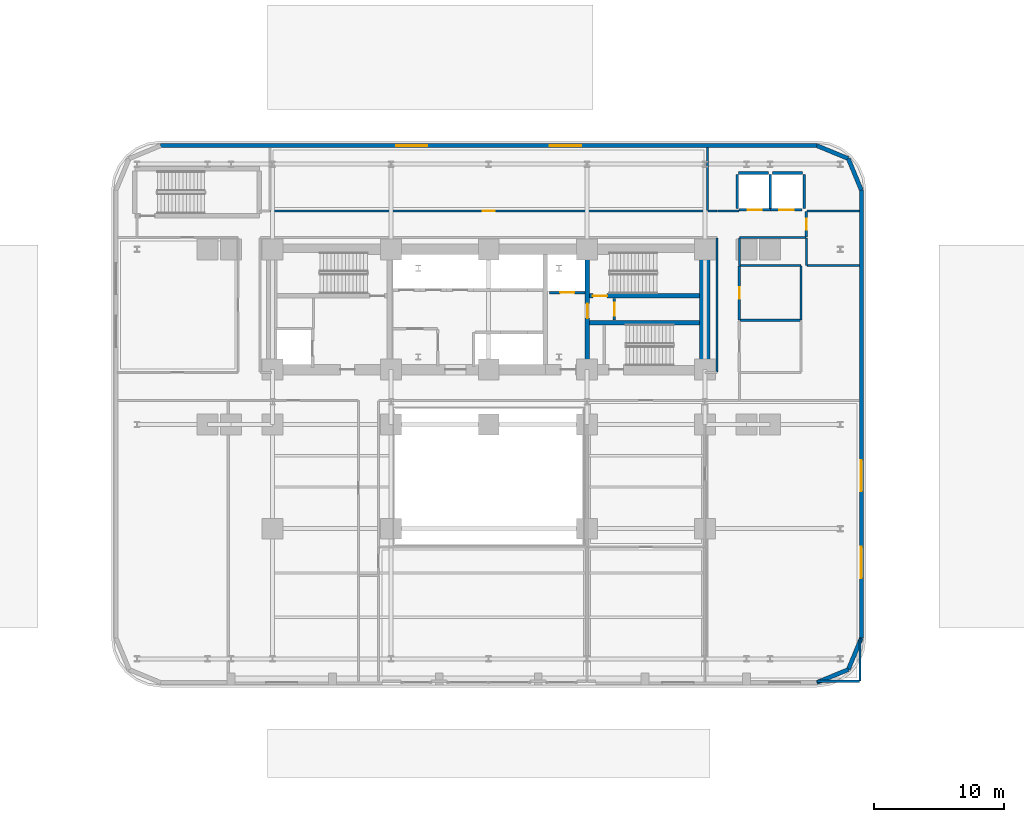
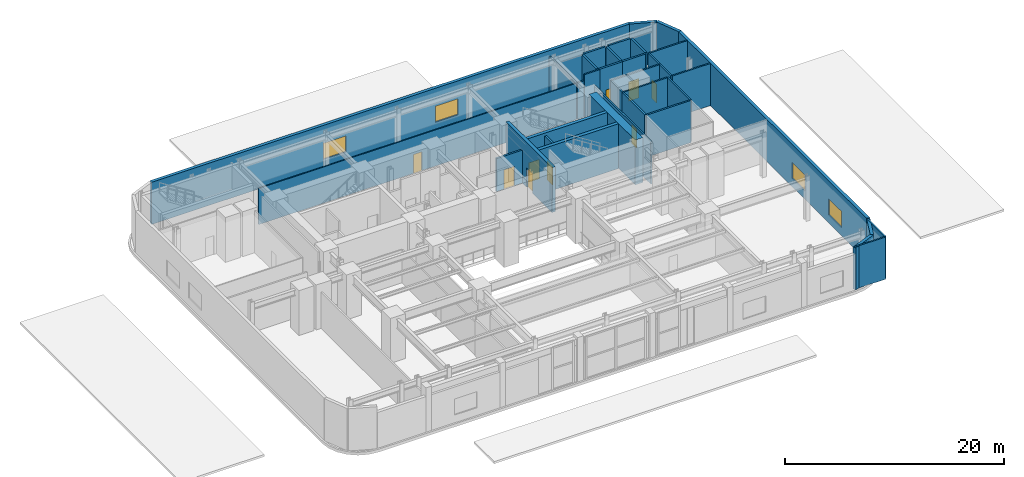
# One storey, part 7 of 12: 36 walls, 9 doors, 4 windows, 13 openings.
"""IFC4 building model written with IfcOpenShell, lengths in metres."""

from ifc_helpers import new_model, si_unit, direction, frame, frame_2d, origin, place, context, subcontext, project, spatial, rectangle, extrude, material, layer, layer_set, type_object, element, fill, save


model = new_model("IFC4")

# Units and contexts
model_context = context("Model", 3, precision=1e-05, world=origin(), true_north=direction((0.0, 1.0)))
body_context = subcontext(model_context, "Body", "Model", "MODEL_VIEW")
ifc_project = project(units=[si_unit("LENGTHUNIT", "METRE"), si_unit("AREAUNIT", "SQUARE_METRE"), si_unit("VOLUMEUNIT", "CUBIC_METRE"), si_unit("PLANEANGLEUNIT", "RADIAN"), si_unit("MASSUNIT", "GRAM", prefix="KILO")], contexts=[model_context])

# Site, building, storey
site_placement = place(None, origin())
site = spatial("IfcSite", under=ifc_project, at=site_placement, CompositionType="ELEMENT")
building_placement = place(site_placement, origin())
building = spatial("IfcBuilding", under=site, at=building_placement, Name="Zarnavel Station Tower", CompositionType="ELEMENT")
storey_placement = place(building_placement, frame((0.0, 0.0, 5.39990234375)))
storey = spatial("IfcBuildingStorey", under=building, at=storey_placement, Name="L02", CompositionType="ELEMENT", Elevation=5.39990234375)

# Wall, opening, door
ifc_material_1 = material(Name="Concrete C50/60", Category="concrete")
ifc_layer_1 = layer(ifc_material_1, 0.35009765625)
ifc_layer_set_1 = layer_set([ifc_layer_1], Name="CW_350")
wall_type_1 = type_object("IfcWallType", Name="CW_350", PredefinedType="SHEAR", material=ifc_layer_set_1)
wall_1_placement = place(storey_placement, frame((36.3798828125, 28.219970703125, 0.0), z_axis=(0.0, 0.0, 1.0), x_axis=(0.0, 1.0, 0.0)))
wall_1 = element("IfcWall", 1, at=wall_1_placement, inside=storey, type_object=wall_type_1, Name="L02 Rear Core Shear Wall DIV-S2", PredefinedType="SHEAR", context=body_context, shape_type="SweptSolid", body=[
    extrude(rectangle(XDim=8.429931640625, YDim=0.35009765625, at=frame_2d((4.21484375, 0.0))), origin(), (0.0, 0.0, 1.0), 5.0),
])
opening_1_placement = place(wall_1_placement, frame((3.56005859375, 0.0, 0.0)))
opening_1 = element("IfcOpeningElement", 2, at=opening_1_placement, cuts=wall_1, Name="Opening FD01", PredefinedType="OPENING", context=body_context, shape_type="SweptSolid", body=[
    extrude(rectangle(XDim=1.10009765625, YDim=2.14990234375, at=frame_2d((0.550048828125, 1.074951171875))), frame((0.0, 0.18505859375, 0.0), z_axis=(0.0, -1.0, 0.0), x_axis=(1.0, 0.0, 0.0)), (0.0, 0.0, 1.0), 0.3701171875),
])
ifc_material_2 = material(Name="Painted Galvanised Steel and Hardwood Leaf", Category="steel")
door_type_1 = type_object("IfcDoorType", Name="ID_STAIR_1100", OperationType="NOTDEFINED", PredefinedType="DOOR", material=ifc_material_2)
door_1_placement = place(opening_1_placement, origin())
door_1 = element("IfcDoor", 3, at=door_1_placement, inside=storey, type_object=door_type_1, Name="L02 East Stair Vestibule Fire Door", OperationType="SINGLE_SWING_LEFT", OverallHeight=2.14990234375, OverallWidth=1.10009765625, PredefinedType="DOOR", context=body_context, shape_type="SweptSolid", body=[
    extrude(rectangle(XDim=1.10009765625, YDim=2.14990234375, at=frame_2d((0.550048828125, 1.074951171875))), frame((0.0, 0.02490234375, 0.0), z_axis=(0.0, -1.0, 0.0), x_axis=(1.0, 0.0, 0.0)), (0.0, 0.0, 1.0), 0.050048828125),
])
fill(opening_1, door_1)

wall_2_placement = place(storey_placement, frame((44.97998046875, 33.47998046875, 0.0), z_axis=(0.0, 0.0, 1.0), x_axis=(-1.0, 0.0, 0.0)))
wall_2 = element("IfcWall", 4, at=wall_2_placement, inside=storey, type_object=wall_type_1, Name="L02 Rear Core Shear Wall DIV-H2", PredefinedType="SHEAR", context=body_context, shape_type="SweptSolid", body=[
    extrude(rectangle(XDim=8.425048828125, YDim=0.35009765625, at=frame_2d((4.21240234375, 0.0))), origin(), (0.0, 0.0, 1.0), 5.0),
])
opening_2_placement = place(wall_2_placement, frame((7.080078125, 0.0, 0.0)))
opening_2 = element("IfcOpeningElement", 5, at=opening_2_placement, cuts=wall_2, Name="Opening FD01", PredefinedType="OPENING", context=body_context, shape_type="SweptSolid", body=[
    extrude(rectangle(XDim=1.10009765625, YDim=2.14990234375, at=frame_2d((0.550048828125, 1.074951171875))), frame((0.0, 0.18505859375, 0.0), z_axis=(0.0, -1.0, 0.0), x_axis=(1.0, 0.0, 0.0)), (0.0, 0.0, 1.0), 0.3701171875),
])
door_2_placement = place(opening_2_placement, origin())
door_2 = element("IfcDoor", 6, at=door_2_placement, inside=storey, type_object=door_type_1, Name="L02 Stair ST2 Lobby Fire Door", OperationType="SINGLE_SWING_RIGHT", OverallHeight=2.14990234375, OverallWidth=1.10009765625, PredefinedType="DOOR", context=body_context, shape_type="SweptSolid", body=[
    extrude(rectangle(XDim=1.10009765625, YDim=2.14990234375, at=frame_2d((0.550048828125, 1.074951171875))), frame((0.0, 0.02490234375, 0.0), z_axis=(0.0, -1.0, 0.0), x_axis=(1.0, 0.0, 0.0)), (0.0, 0.0, 1.0), 0.050048828125),
])
fill(opening_2, door_2)

# Walls
wall_3_placement = place(storey_placement, frame((36.554931640625, 31.419921875, 0.0), z_axis=(0.0, 0.0, 1.0), x_axis=(1.0, 0.0, 0.0)))
element("IfcWall", 7, at=wall_3_placement, inside=storey, type_object=wall_type_1, Name="L02 Rear Core Shear Wall DIV-H3", PredefinedType="SHEAR", context=body_context, shape_type="SweptSolid", body=[
    extrude(rectangle(XDim=8.425048828125, YDim=0.35009765625, at=frame_2d((4.21240234375, 0.0))), origin(), (0.0, 0.0, 1.0), 5.0),
])
ifc_material_3 = material(Name="Concrete C60/75", Category="concrete")
ifc_layer_2 = layer(ifc_material_3, 0.800048828125)
ifc_layer_set_2 = layer_set([ifc_layer_2], Name="CW_800")
wall_type_2 = type_object("IfcWallType", Name="CW_800", PredefinedType="SHEAR", material=ifc_layer_set_2)
wall_4_placement = place(storey_placement, frame((45.3798828125, 28.219970703125, 0.0), z_axis=(0.0, 0.0, 1.0), x_axis=(0.0, 1.0, 0.0)))
element("IfcWall", 8, at=wall_4_placement, inside=storey, type_object=wall_type_2, Name="L02 Rear Core Shear Wall E", PredefinedType="SHEAR", context=body_context, shape_type="SweptSolid", body=[
    extrude(rectangle(XDim=8.429931640625, YDim=0.800048828125, at=frame_2d((4.21484375, 0.0))), origin(), (0.0, 0.0, 1.0), 5.0),
])
ifc_material_4 = material(Name="Precast concrete C45/55 (Podium Basalt Frame)", Category="masonry")
ifc_layer_3 = layer(ifc_material_4, 0.320068359375)
ifc_layer_set_3 = layer_set([ifc_layer_3], Name="EW_BASALT_320")
wall_type_3 = type_object("IfcWallType", Name="EW_BASALT_320", PredefinedType="SOLIDWALL", material=ifc_layer_set_3)
for number, where, z_axis, x_axis, name in (
    (9, (56.418212890625, 4.78173828125, 0.0), (0.0, 0.0, 1.0), (-0.923872453333, -0.382700522567, 0.0), "L02 Exterior Basalt Masonry Frame Wall 01"),
    (10, (57.419921875, 7.199951171875, 0.0), (0.0, 0.0, 1.0), (-0.382700522567, -0.923872453333, 0.0), "L02 Exterior Basalt Masonry Frame Wall 02"),
):
    element("IfcWall", number, at=place(storey_placement, frame(where, z_axis=z_axis, x_axis=x_axis)), inside=storey, type_object=wall_type_3, Name=name, PredefinedType="SOLIDWALL", context=body_context, shape_type="SweptSolid", body=[
        extrude(rectangle(XDim=2.617431640625, YDim=0.320068359375, at=frame_2d((1.30859375, 0.0))), origin(), (0.0, 0.0, 1.0), 4.7001953125),
    ])

# Wall, openings, windows
wall_5_placement = place(storey_placement, frame((57.419921875, 41.60009765625, 0.0), z_axis=(0.0, 0.0, 1.0), x_axis=(0.0, -1.0, 0.0)))
wall_5 = element("IfcWall", 11, at=wall_5_placement, inside=storey, type_object=wall_type_3, Name="L02 Exterior Basalt Masonry Frame Wall 03", PredefinedType="SOLIDWALL", context=body_context, shape_type="SweptSolid", body=[
    extrude(rectangle(XDim=34.400146484375, YDim=0.320068359375, at=frame_2d((17.2001953125, 0.0))), origin(), (0.0, 0.0, 1.0), 4.7001953125),
])
opening_3_placement = place(wall_5_placement, frame((20.726806640625, 0.0, 0.89990234375)))
opening_3 = element("IfcOpeningElement", 12, at=opening_3_placement, cuts=wall_5, Name="Opening WN03", PredefinedType="OPENING", context=body_context, shape_type="SweptSolid", body=[
    extrude(rectangle(XDim=2.39990234375, YDim=1.800048828125, at=frame_2d((1.199951171875, 0.89990234375))), frame((0.0, 0.169921875, 0.0), z_axis=(0.0, -1.0, 0.0), x_axis=(1.0, 0.0, 0.0)), (0.0, 0.0, 1.0), 0.340087890625),
])
opening_4_placement = place(wall_5_placement, frame((27.4033203125, 0.0, 0.89990234375)))
opening_4 = element("IfcOpeningElement", 13, at=opening_4_placement, cuts=wall_5, Name="Opening WN03", PredefinedType="OPENING", context=body_context, shape_type="SweptSolid", body=[
    extrude(rectangle(XDim=2.39990234375, YDim=1.800048828125, at=frame_2d((1.199951171875, 0.89990234375))), frame((0.0, 0.169921875, 0.0), z_axis=(0.0, -1.0, 0.0), x_axis=(1.0, 0.0, 0.0)), (0.0, 0.0, 1.0), 0.340087890625),
])
ifc_material_5 = material(Name="Thermally Broken Black Aluminium and Low-E Dark Glass", Category="aluminium")
window_type = type_object("IfcWindowType", Name="WN_2400x1800", PartitioningType="TRIPLE_PANEL_VERTICAL", PredefinedType="WINDOW", material=ifc_material_5)
window_1_placement = place(opening_3_placement, origin())
window_1 = element("IfcWindow", 14, at=window_1_placement, inside=storey, type_object=window_type, Name="L02 Recessed Facade Window 01", OverallHeight=1.800048828125, OverallWidth=2.39990234375, PartitioningType="SINGLE_PANEL", PredefinedType="WINDOW", context=body_context, shape_type="SweptSolid", body=[
    extrude(rectangle(XDim=2.39990234375, YDim=1.800048828125, at=frame_2d((1.199951171875, 0.89990234375))), frame((0.0, 0.030029296875, 0.0), z_axis=(0.0, -1.0, 0.0), x_axis=(1.0, 0.0, 0.0)), (0.0, 0.0, 1.0), 0.06005859375),
])
fill(opening_3, window_1)
window_2_placement = place(opening_4_placement, origin())
window_2 = element("IfcWindow", 15, at=window_2_placement, inside=storey, type_object=window_type, Name="L02 Recessed Facade Window 02", OverallHeight=1.800048828125, OverallWidth=2.39990234375, PartitioningType="SINGLE_PANEL", PredefinedType="WINDOW", context=body_context, shape_type="SweptSolid", body=[
    extrude(rectangle(XDim=2.39990234375, YDim=1.800048828125, at=frame_2d((1.199951171875, 0.89990234375))), frame((0.0, 0.030029296875, 0.0), z_axis=(0.0, -1.0, 0.0), x_axis=(1.0, 0.0, 0.0)), (0.0, 0.0, 1.0), 0.06005859375),
])
fill(opening_4, window_2)

# Walls
for number, where, z_axis, x_axis, name in (
    (16, (56.418212890625, 44.018310546875, 0.0), (0.0, 0.0, 1.0), (0.382700522567, -0.923872453333, 0.0), "L02 Exterior Basalt Masonry Frame Wall 04"),
    (17, (54.0, 45.02001953125, 0.0), (0.0, 0.0, 1.0), (0.923872453333, -0.382700522567, 0.0), "L02 Exterior Basalt Masonry Frame Wall 05"),
):
    element("IfcWall", number, at=place(storey_placement, frame(where, z_axis=z_axis, x_axis=x_axis)), inside=storey, type_object=wall_type_3, Name=name, PredefinedType="SOLIDWALL", context=body_context, shape_type="SweptSolid", body=[
        extrude(rectangle(XDim=2.617431640625, YDim=0.320068359375, at=frame_2d((1.30859375, 0.0))), origin(), (0.0, 0.0, 1.0), 4.7001953125),
    ])

# Wall, openings, windows
wall_6_placement = place(storey_placement, frame((3.60009765625, 45.02001953125, 0.0), z_axis=(0.0, 0.0, 1.0), x_axis=(1.0, 0.0, 0.0)))
wall_6 = element("IfcWall", 18, at=wall_6_placement, inside=storey, type_object=wall_type_3, Name="L02 Exterior Basalt Masonry Frame Wall 06", PredefinedType="SOLIDWALL", context=body_context, shape_type="SweptSolid", body=[
    extrude(rectangle(XDim=50.39990234375, YDim=0.320068359375, at=frame_2d((25.199951171875, 0.0))), origin(), (0.0, 0.0, 1.0), 4.7001953125),
])
opening_5_placement = place(wall_6_placement, frame((18.10009765625, 0.0, 0.89990234375)))
opening_5 = element("IfcOpeningElement", 19, at=opening_5_placement, cuts=wall_6, Name="Opening WN03", PredefinedType="OPENING", context=body_context, shape_type="SweptSolid", body=[
    extrude(rectangle(XDim=2.39990234375, YDim=1.800048828125, at=frame_2d((1.199951171875, 0.89990234375))), frame((0.0, 0.169921875, 0.0), z_axis=(0.0, -1.0, 0.0), x_axis=(1.0, 0.0, 0.0)), (0.0, 0.0, 1.0), 0.340087890625),
])
opening_6_placement = place(wall_6_placement, frame((29.89990234375, 0.0, 0.89990234375)))
opening_6 = element("IfcOpeningElement", 20, at=opening_6_placement, cuts=wall_6, Name="Opening WN03", PredefinedType="OPENING", context=body_context, shape_type="SweptSolid", body=[
    extrude(rectangle(XDim=2.39990234375, YDim=1.800048828125, at=frame_2d((1.199951171875, 0.89990234375))), frame((0.0, 0.169921875, 0.0), z_axis=(0.0, -1.0, 0.0), x_axis=(1.0, 0.0, 0.0)), (0.0, 0.0, 1.0), 0.340087890625),
])
window_3_placement = place(opening_5_placement, origin())
window_3 = element("IfcWindow", 21, at=window_3_placement, inside=storey, type_object=window_type, Name="L02 Recessed Facade Window 01", OverallHeight=1.800048828125, OverallWidth=2.39990234375, PartitioningType="SINGLE_PANEL", PredefinedType="WINDOW", context=body_context, shape_type="SweptSolid", body=[
    extrude(rectangle(XDim=2.39990234375, YDim=1.800048828125, at=frame_2d((1.199951171875, 0.89990234375))), frame((0.0, 0.030029296875, 0.0), z_axis=(0.0, -1.0, 0.0), x_axis=(1.0, 0.0, 0.0)), (0.0, 0.0, 1.0), 0.06005859375),
])
fill(opening_5, window_3)
window_4_placement = place(opening_6_placement, origin())
window_4 = element("IfcWindow", 22, at=window_4_placement, inside=storey, type_object=window_type, Name="L02 Recessed Facade Window 02", OverallHeight=1.800048828125, OverallWidth=2.39990234375, PartitioningType="SINGLE_PANEL", PredefinedType="WINDOW", context=body_context, shape_type="SweptSolid", body=[
    extrude(rectangle(XDim=2.39990234375, YDim=1.800048828125, at=frame_2d((1.199951171875, 0.89990234375))), frame((0.0, 0.030029296875, 0.0), z_axis=(0.0, -1.0, 0.0), x_axis=(1.0, 0.0, 0.0)), (0.0, 0.0, 1.0), 0.06005859375),
])
fill(opening_6, window_4)

# Walls
ifc_material_6 = material(Name="Gypsum Twin-Stud Acoustic Fire Partition", Category="concrete")
ifc_layer_4 = layer(ifc_material_6, 0.159912109375)
ifc_layer_set_4 = layer_set([ifc_layer_4], Name="PT_DEMISE_160")
wall_type_4 = type_object("IfcWallType", Name="PT_DEMISE_160", PredefinedType="PARTITIONING", material=ifc_layer_set_4)
wall_7_placement = place(storey_placement, frame((46.3798828125, 40.0, 0.0), z_axis=(0.0, 0.0, 1.0), x_axis=(1.0, 0.0, 0.0)))
element("IfcWall", 23, at=wall_7_placement, inside=storey, type_object=wall_type_4, Name="L02 Enclosure Wall PCOR-E", PredefinedType="PARTITIONING", context=body_context, shape_type="SweptSolid", body=[
    extrude(rectangle(XDim=1.64013671875, YDim=0.159912109375, at=frame_2d((0.820068359375, 0.0))), origin(), (0.0, 0.0, 1.0), 4.7001953125),
])
wall_8_placement = place(storey_placement, frame((46.35009765625, 27.6298828125, 0.0), z_axis=(0.0, 0.0, 1.0), x_axis=(0.0, 1.0, 0.0)))
element("IfcWall", 24, at=wall_8_placement, inside=storey, type_object=wall_type_4, Name="L02 Enclosure Wall PCOR-E", PredefinedType="PARTITIONING", context=body_context, shape_type="SweptSolid", body=[
    extrude(rectangle(XDim=10.2900390625, YDim=0.159912109375, at=frame_2d((5.14501953125, 0.0))), origin(), (0.0, 0.0, 1.0), 4.7001953125),
])
wall_9_placement = place(storey_placement, frame((48.050048828125, 35.830078125, 0.0), z_axis=(0.0, 0.0, 1.0), x_axis=(0.0, 1.0, 0.0)))
element("IfcWall", 25, at=wall_9_placement, inside=storey, type_object=wall_type_4, Name="L02 Enclosure Wall PCOR-E", PredefinedType="PARTITIONING", context=body_context, shape_type="SweptSolid", body=[
    extrude(rectangle(XDim=2.08984375, YDim=0.159912109375, at=frame_2d((1.044921875, 0.0))), origin(), (0.0, 0.0, 1.0), 4.7001953125),
])
wall_10_placement = place(storey_placement, frame((45.6298828125, 40.0, 0.0), z_axis=(0.0, 0.0, 1.0), x_axis=(1.0, 0.0, 0.0)))
element("IfcWall", 26, at=wall_10_placement, inside=storey, type_object=wall_type_4, Name="L02 Enclosure Wall PCOR-N", PredefinedType="PARTITIONING", context=body_context, shape_type="SweptSolid", body=[
    extrude(rectangle(XDim=0.690185546875, YDim=0.159912109375, at=frame_2d((0.34521484375, 0.0))), origin(), (0.0, 0.0, 1.0), 4.030029296875),
])
wall_11_placement = place(storey_placement, frame((48.080078125, 37.949951171875, 0.0), z_axis=(0.0, 0.0, 1.0), x_axis=(1.0, 0.0, 0.0)))
element("IfcWall", 27, at=wall_11_placement, inside=storey, type_object=wall_type_4, Name="L02 Enclosure Wall PLLOB", PredefinedType="PARTITIONING", context=body_context, shape_type="SweptSolid", body=[
    extrude(rectangle(XDim=5.08984375, YDim=0.159912109375, at=frame_2d((2.544921875, 0.0))), origin(), (0.0, 0.0, 1.0), 4.7001953125),
])
wall_12_placement = place(storey_placement, frame((48.080078125, 35.800048828125, 0.0), z_axis=(0.0, 0.0, 1.0), x_axis=(1.0, 0.0, 0.0)))
element("IfcWall", 28, at=wall_12_placement, inside=storey, type_object=wall_type_4, Name="L02 Enclosure Wall PWC-F", PredefinedType="PARTITIONING", context=body_context, shape_type="SweptSolid", body=[
    extrude(rectangle(XDim=4.68994140625, YDim=0.159912109375, at=frame_2d((2.344970703125, 0.0))), origin(), (0.0, 0.0, 1.0), 4.7001953125),
])
wall_13_placement = place(storey_placement, frame((52.800048828125, 31.6298828125, 0.0), z_axis=(0.0, 0.0, 1.0), x_axis=(0.0, 1.0, 0.0)))
element("IfcWall", 29, at=wall_13_placement, inside=storey, type_object=wall_type_4, Name="L02 Enclosure Wall PWC-F", PredefinedType="PARTITIONING", context=body_context, shape_type="SweptSolid", body=[
    extrude(rectangle(XDim=4.14013671875, YDim=0.159912109375, at=frame_2d((2.070068359375, 0.0))), origin(), (0.0, 0.0, 1.0), 4.7001953125),
])
for number, where, z_axis, x_axis, name in (
    (30, (53.22998046875, 35.800048828125, 0.0), (0.0, 0.0, 1.0), (1.0, 0.0, 0.0), "L02 Enclosure Wall PWC-A"),
    (31, (53.22998046875, 40.0, 0.0), (0.0, 0.0, 1.0), (1.0, 0.0, 0.0), "L02 Enclosure Wall PWC-A"),
):
    element("IfcWall", number, at=place(storey_placement, frame(where, z_axis=z_axis, x_axis=x_axis)), inside=storey, type_object=wall_type_4, Name=name, PredefinedType="PARTITIONING", context=body_context, shape_type="SweptSolid", body=[
        extrude(rectangle(XDim=4.06005859375, YDim=0.159912109375, at=frame_2d((2.030029296875, 0.0))), origin(), (0.0, 0.0, 1.0), 4.7001953125),
    ])
wall_14_placement = place(storey_placement, frame((53.199951171875, 35.830078125, 0.0), z_axis=(0.0, 0.0, 1.0), x_axis=(0.0, 1.0, 0.0)))
element("IfcWall", 32, at=wall_14_placement, inside=storey, type_object=wall_type_4, Name="L02 Enclosure Wall PWC-A", PredefinedType="PARTITIONING", context=body_context, shape_type="SweptSolid", body=[
    extrude(rectangle(XDim=2.08984375, YDim=0.159912109375, at=frame_2d((1.044921875, 0.0))), origin(), (0.0, 0.0, 1.0), 4.7001953125),
])
for number, where, z_axis, x_axis, name in (
    (33, (54.030029296875, 3.8798828125, 0.0), (0.0, 0.0, 1.0), (1.0, 0.0, 0.0), "L02 Enclosure Wall RET4"),
    (34, (57.320068359375, 3.909912109375, 0.0), (0.0, 0.0, 1.0), (0.0, 1.0, 0.0), "L02 Enclosure Wall RET4"),
):
    element("IfcWall", number, at=place(storey_placement, frame(where, z_axis=z_axis, x_axis=x_axis)), inside=storey, type_object=wall_type_4, Name=name, PredefinedType="PARTITIONING", context=body_context, shape_type="SweptSolid", body=[
        extrude(rectangle(XDim=3.260009765625, YDim=0.159912109375, at=frame_2d((1.6298828125, 0.0))), origin(), (0.0, 0.0, 1.0), 4.7001953125),
    ])
wall_15_placement = place(storey_placement, frame((45.60009765625, 40.030029296875, 0.0), z_axis=(0.0, 0.0, 1.0), x_axis=(0.0, 1.0, 0.0)))
element("IfcWall", 35, at=wall_15_placement, inside=storey, type_object=wall_type_4, Name="L02 Enclosure Wall NRET", PredefinedType="PARTITIONING", context=body_context, shape_type="SweptSolid", body=[
    extrude(rectangle(XDim=4.85986328125, YDim=0.159912109375, at=frame_2d((2.429931640625, 0.0))), origin(), (0.0, 0.0, 1.0), 4.030029296875),
])

# Wall, opening, door
ifc_material_7 = material(Name="Gypsum Metal-Stud Interior Partition", Category="concrete")
ifc_layer_5 = layer(ifc_material_7, 0.1201171875)
ifc_layer_set_5 = layer_set([ifc_layer_5], Name="PT_ROOM_120")
wall_type_5 = type_object("IfcWallType", Name="PT_ROOM_120", PredefinedType="PARTITIONING", material=ifc_layer_set_5)
wall_16_placement = place(storey_placement, frame((12.0400390625, 40.0, 0.0), z_axis=(0.0, 0.0, 1.0), x_axis=(1.0, 0.0, 0.0)))
wall_16 = element("IfcWall", 36, at=wall_16_placement, inside=storey, type_object=wall_type_5, Name="L02 Partition PCOR-N-NRET", PredefinedType="PARTITIONING", context=body_context, shape_type="SweptSolid", body=[
    extrude(rectangle(XDim=33.52001953125, YDim=0.1201171875, at=frame_2d((16.760009765625, 0.0))), origin(), (0.0, 0.0, 1.0), 4.030029296875),
])
opening_7_placement = place(wall_16_placement, frame((16.31005859375, 0.0, 0.0)))
opening_7 = element("IfcOpeningElement", 37, at=opening_7_placement, cuts=wall_16, Name="Opening ID01", PredefinedType="OPENING", context=body_context, shape_type="SweptSolid", body=[
    extrude(rectangle(XDim=0.89990234375, YDim=2.10009765625, at=frame_2d((0.449951171875, 1.050048828125))), frame((0.0, 0.070068359375, 0.0), z_axis=(0.0, -1.0, 0.0), x_axis=(1.0, 0.0, 0.0)), (0.0, 0.0, 1.0), 0.14013671875),
])
ifc_material_8 = material(Name="Painted Galvanised Steel and Hardwood Leaf", Category="steel")
door_type_2 = type_object("IfcDoorType", Name="ID_ROOM_900", OperationType="NOTDEFINED", PredefinedType="DOOR", material=ifc_material_8)
door_3_placement = place(opening_7_placement, origin())
door_3 = element("IfcDoor", 38, at=door_3_placement, inside=storey, type_object=door_type_2, Name="L02 Door PCOR-N-NRET", OperationType="SINGLE_SWING_RIGHT", OverallHeight=2.10009765625, OverallWidth=0.89990234375, PredefinedType="DOOR", context=body_context, shape_type="SweptSolid", body=[
    extrude(rectangle(XDim=0.89990234375, YDim=2.10009765625, at=frame_2d((0.449951171875, 1.050048828125))), frame((0.0, 0.02490234375, 0.0), z_axis=(0.0, -1.0, 0.0), x_axis=(1.0, 0.0, 0.0)), (0.0, 0.0, 1.0), 0.050048828125),
])
fill(opening_7, door_3)

ifc_material_9 = material(Name="Precast concrete C45/55 (Fire Shaft Blockwork)", Category="masonry")
ifc_layer_6 = layer(ifc_material_9, 0.199951171875)
ifc_layer_set_6 = layer_set([ifc_layer_6], Name="PT_SHAFT_200")
wall_type_6 = type_object("IfcWallType", Name="PT_SHAFT_200", PredefinedType="PARTITIONING", material=ifc_layer_set_6)
wall_17_placement = place(storey_placement, frame((33.47509765625, 33.72998046875, 0.0), z_axis=(0.0, 0.0, 1.0), x_axis=(1.0, 0.0, 0.0)))
wall_17 = element("IfcWall", 39, at=wall_17_placement, inside=storey, type_object=wall_type_6, Name="L02 Lift FFL-02 Shaft Front Wall", PredefinedType="PARTITIONING", context=body_context, shape_type="SweptSolid", body=[
    extrude(rectangle(XDim=2.724853515625, YDim=0.199951171875, at=frame_2d((1.3623046875, 0.0))), origin(), (0.0, 0.0, 1.0), 3.672119140625),
])
opening_8_placement = place(wall_17_placement, frame((0.8125, 0.0, 0.0)))
opening_8 = element("IfcOpeningElement", 40, at=opening_8_placement, cuts=wall_17, Name="Opening LD01", PredefinedType="OPENING", context=body_context, shape_type="SweptSolid", body=[
    extrude(rectangle(XDim=1.10009765625, YDim=2.14990234375, at=frame_2d((0.550048828125, 1.074951171875))), frame((0.0, 0.10986328125, 0.0), z_axis=(0.0, -1.0, 0.0), x_axis=(1.0, 0.0, 0.0)), (0.0, 0.0, 1.0), 0.219970703125),
])
ifc_material_10 = material(Name="Painted Galvanised Steel and Hardwood Leaf", Category="steel")
door_type_3 = type_object("IfcDoorType", Name="LD_FF_1100", OperationType="DOUBLE_DOOR_SLIDING", PredefinedType="DOOR", material=ifc_material_10)
door_4_placement = place(opening_8_placement, origin())
door_4 = element("IfcDoor", 41, at=door_4_placement, inside=storey, type_object=door_type_3, Name="L02 Lift FFL-02 Sliding Landing Door", OperationType="DOUBLE_DOOR_SLIDING", OverallHeight=2.14990234375, OverallWidth=1.10009765625, PredefinedType="DOOR", context=body_context, shape_type="SweptSolid", body=[
    extrude(rectangle(XDim=1.10009765625, YDim=2.14990234375, at=frame_2d((0.550048828125, 1.074951171875))), frame((0.0, 0.02490234375, 0.0), z_axis=(0.0, -1.0, 0.0), x_axis=(1.0, 0.0, 0.0)), (0.0, 0.0, 1.0), 0.050048828125),
])
fill(opening_8, door_4)

wall_18_placement = place(storey_placement, frame((48.02001953125, 40.080078125, 0.0), z_axis=(0.0, 0.0, 1.0), x_axis=(1.0, 0.0, 0.0)))
wall_18 = element("IfcWall", 42, at=wall_18_placement, inside=storey, type_object=wall_type_6, Name="L02 Lift PL-P1 Shaft Front Wall", PredefinedType="PARTITIONING", context=body_context, shape_type="SweptSolid", body=[
    extrude(rectangle(XDim=2.429931640625, YDim=0.199951171875, at=frame_2d((1.21484375, 0.0))), origin(), (0.0, 0.0, 1.0), 4.7001953125),
])
opening_9_placement = place(wall_18_placement, frame((0.6650390625, 0.0, 0.0)))
opening_9 = element("IfcOpeningElement", 43, at=opening_9_placement, cuts=wall_18, Name="Opening LD02", PredefinedType="OPENING", context=body_context, shape_type="SweptSolid", body=[
    extrude(rectangle(XDim=1.10009765625, YDim=2.14990234375, at=frame_2d((0.550048828125, 1.074951171875))), frame((0.0, 0.10986328125, 0.0), z_axis=(0.0, -1.0, 0.0), x_axis=(1.0, 0.0, 0.0)), (0.0, 0.0, 1.0), 0.219970703125),
])
ifc_material_11 = material(Name="Painted Galvanised Steel and Hardwood Leaf", Category="steel")
door_type_4 = type_object("IfcDoorType", Name="LD_PAX_1100", OperationType="DOUBLE_DOOR_SLIDING", PredefinedType="DOOR", material=ifc_material_11)
door_5_placement = place(opening_9_placement, origin())
door_5 = element("IfcDoor", 44, at=door_5_placement, inside=storey, type_object=door_type_4, Name="L02 Lift PL-P1 Sliding Landing Door", OperationType="DOUBLE_DOOR_SLIDING", OverallHeight=2.14990234375, OverallWidth=1.10009765625, PredefinedType="DOOR", context=body_context, shape_type="SweptSolid", body=[
    extrude(rectangle(XDim=1.10009765625, YDim=2.14990234375, at=frame_2d((0.550048828125, 1.074951171875))), frame((0.0, 0.02490234375, 0.0), z_axis=(0.0, -1.0, 0.0), x_axis=(1.0, 0.0, 0.0)), (0.0, 0.0, 1.0), 0.050048828125),
])
fill(opening_9, door_5)

# Walls
wall_19_placement = place(storey_placement, frame((48.0, 42.919921875, 0.0), z_axis=(0.0, 0.0, 1.0), x_axis=(1.0, 0.0, 0.0)))
element("IfcWall", 45, at=wall_19_placement, inside=storey, type_object=wall_type_6, Name="L02 Lift PL-P1 Shaft Wall N", PredefinedType="PARTITIONING", context=body_context, shape_type="SweptSolid", body=[
    extrude(rectangle(XDim=2.300048828125, YDim=0.199951171875, at=frame_2d((1.14990234375, 0.0))), origin(), (0.0, 0.0, 1.0), 4.7001953125),
])
for number, where, z_axis, x_axis, name in (
    (46, (47.8798828125, 40.199951171875, 0.0), (0.0, 0.0, 1.0), (0.0, 1.0, 0.0), "L02 Lift PL-P1 Shaft Wall W"),
    (47, (50.419921875, 40.199951171875, 0.0), (0.0, 0.0, 1.0), (0.0, 1.0, 0.0), "L02 Lift PL-P1 Shaft Wall E"),
):
    element("IfcWall", number, at=place(storey_placement, frame(where, z_axis=z_axis, x_axis=x_axis)), inside=storey, type_object=wall_type_6, Name=name, PredefinedType="PARTITIONING", context=body_context, shape_type="SweptSolid", body=[
        extrude(rectangle(XDim=2.60009765625, YDim=0.199951171875, at=frame_2d((1.300048828125, 0.0))), origin(), (0.0, 0.0, 1.0), 4.7001953125),
    ])

# Wall, opening, door
wall_20_placement = place(storey_placement, frame((50.449951171875, 40.080078125, 0.0), z_axis=(0.0, 0.0, 1.0), x_axis=(1.0, 0.0, 0.0)))
wall_20 = element("IfcWall", 48, at=wall_20_placement, inside=storey, type_object=wall_type_6, Name="L02 Lift PL-P2 Shaft Front Wall", PredefinedType="PARTITIONING", context=body_context, shape_type="SweptSolid", body=[
    extrude(rectangle(XDim=2.429931640625, YDim=0.199951171875, at=frame_2d((1.21484375, 0.0))), origin(), (0.0, 0.0, 1.0), 4.7001953125),
])
opening_10_placement = place(wall_20_placement, frame((0.6650390625, 0.0, 0.0)))
opening_10 = element("IfcOpeningElement", 49, at=opening_10_placement, cuts=wall_20, Name="Opening LD02", PredefinedType="OPENING", context=body_context, shape_type="SweptSolid", body=[
    extrude(rectangle(XDim=1.10009765625, YDim=2.14990234375, at=frame_2d((0.550048828125, 1.074951171875))), frame((0.0, 0.10986328125, 0.0), z_axis=(0.0, -1.0, 0.0), x_axis=(1.0, 0.0, 0.0)), (0.0, 0.0, 1.0), 0.219970703125),
])
door_6_placement = place(opening_10_placement, origin())
door_6 = element("IfcDoor", 50, at=door_6_placement, inside=storey, type_object=door_type_4, Name="L02 Lift PL-P2 Sliding Landing Door", OperationType="DOUBLE_DOOR_SLIDING", OverallHeight=2.14990234375, OverallWidth=1.10009765625, PredefinedType="DOOR", context=body_context, shape_type="SweptSolid", body=[
    extrude(rectangle(XDim=1.10009765625, YDim=2.14990234375, at=frame_2d((0.550048828125, 1.074951171875))), frame((0.0, 0.02490234375, 0.0), z_axis=(0.0, -1.0, 0.0), x_axis=(1.0, 0.0, 0.0)), (0.0, 0.0, 1.0), 0.050048828125),
])
fill(opening_10, door_6)

# Walls
wall_21_placement = place(storey_placement, frame((50.60009765625, 42.919921875, 0.0), z_axis=(0.0, 0.0, 1.0), x_axis=(1.0, 0.0, 0.0)))
element("IfcWall", 51, at=wall_21_placement, inside=storey, type_object=wall_type_6, Name="L02 Lift PL-P2 Shaft Wall N", PredefinedType="PARTITIONING", context=body_context, shape_type="SweptSolid", body=[
    extrude(rectangle(XDim=2.2998046875, YDim=0.199951171875, at=frame_2d((1.14990234375, 0.0))), origin(), (0.0, 0.0, 1.0), 4.7001953125),
])
wall_22_placement = place(storey_placement, frame((53.02001953125, 40.199951171875, 0.0), z_axis=(0.0, 0.0, 1.0), x_axis=(0.0, 1.0, 0.0)))
element("IfcWall", 52, at=wall_22_placement, inside=storey, type_object=wall_type_6, Name="L02 Lift PL-P2 Shaft Wall E", PredefinedType="PARTITIONING", context=body_context, shape_type="SweptSolid", body=[
    extrude(rectangle(XDim=2.60009765625, YDim=0.199951171875, at=frame_2d((1.300048828125, 0.0))), origin(), (0.0, 0.0, 1.0), 4.7001953125),
])

# Wall, opening, door
wall_23_placement = place(storey_placement, frame((38.449951171875, 31.639892578125, 0.0), z_axis=(0.0, 0.0, 1.0), x_axis=(0.0, 1.0, 0.0)))
wall_23 = element("IfcWall", 53, at=wall_23_placement, inside=storey, type_object=wall_type_6, Name="L02 Partition ESTV-CEA", PredefinedType="PARTITIONING", context=body_context, shape_type="SweptSolid", body=[
    extrude(rectangle(XDim=1.6201171875, YDim=0.199951171875, at=frame_2d((0.81005859375, 0.0))), origin(), (0.0, 0.0, 1.0), 4.7001953125),
])
opening_11_placement = place(wall_23_placement, frame((0.31005859375, 0.0, 0.0)))
opening_11 = element("IfcOpeningElement", 54, at=opening_11_placement, cuts=wall_23, Name="Opening FD02", PredefinedType="OPENING", context=body_context, shape_type="SweptSolid", body=[
    extrude(rectangle(XDim=1.0, YDim=2.14990234375, at=frame_2d((0.5, 1.074951171875))), frame((0.0, 0.10986328125, 0.0), z_axis=(0.0, -1.0, 0.0), x_axis=(1.0, 0.0, 0.0)), (0.0, 0.0, 1.0), 0.219970703125),
])
ifc_material_12 = material(Name="Painted Galvanised Steel and Hardwood Leaf", Category="steel")
door_type_5 = type_object("IfcDoorType", Name="ID_ENTRY_1000", OperationType="NOTDEFINED", PredefinedType="DOOR", material=ifc_material_12)
door_7_placement = place(opening_11_placement, origin())
door_7 = element("IfcDoor", 55, at=door_7_placement, inside=storey, type_object=door_type_5, Name="L02 Door ESTV-CEA", OperationType="SINGLE_SWING_RIGHT", OverallHeight=2.14990234375, OverallWidth=1.0, PredefinedType="DOOR", context=body_context, shape_type="SweptSolid", body=[
    extrude(rectangle(XDim=1.0, YDim=2.14990234375, at=frame_2d((0.5, 1.074951171875))), frame((0.0, 0.02490234375, 0.0), z_axis=(0.0, -1.0, 0.0), x_axis=(1.0, 0.0, 0.0)), (0.0, 0.0, 1.0), 0.050048828125),
])
fill(opening_11, door_7)

ifc_material_13 = material(Name="Moisture-Resistant Plumbing Chase Wall", Category="concrete")
ifc_layer_7 = layer(ifc_material_13, 0.179931640625)
ifc_layer_set_7 = layer_set([ifc_layer_7], Name="PW_PLUMB_180")
wall_type_7 = type_object("IfcWallType", Name="PW_PLUMB_180", PredefinedType="PLUMBINGWALL", material=ifc_layer_set_7)
wall_24_placement = place(storey_placement, frame((48.050048828125, 31.639892578125, 0.0), z_axis=(0.0, 0.0, 1.0), x_axis=(0.0, 1.0, 0.0)))
wall_24 = element("IfcWall", 56, at=wall_24_placement, inside=storey, type_object=wall_type_7, Name="L02 Partition PCOR-E-PWC-F", PredefinedType="PLUMBINGWALL", context=body_context, shape_type="SweptSolid", body=[
    extrude(rectangle(XDim=4.1201171875, YDim=0.179931640625, at=frame_2d((2.06005859375, 0.0))), origin(), (0.0, 0.0, 1.0), 4.7001953125),
])
opening_12_placement = place(wall_24_placement, frame((1.635009765625, 0.0, 0.0)))
opening_12 = element("IfcOpeningElement", 57, at=opening_12_placement, cuts=wall_24, Name="Opening ID02", PredefinedType="OPENING", context=body_context, shape_type="SweptSolid", body=[
    extrude(rectangle(XDim=0.85009765625, YDim=2.10009765625, at=frame_2d((0.425048828125, 1.050048828125))), frame((0.0, 0.099853515625, 0.0), z_axis=(0.0, -1.0, 0.0), x_axis=(1.0, 0.0, 0.0)), (0.0, 0.0, 1.0), 0.199951171875),
])
ifc_material_14 = material(Name="Painted Galvanised Steel and Hardwood Leaf", Category="steel")
door_type_6 = type_object("IfcDoorType", Name="ID_BATH_850", OperationType="NOTDEFINED", PredefinedType="DOOR", material=ifc_material_14)
door_8_placement = place(opening_12_placement, origin())
door_8 = element("IfcDoor", 58, at=door_8_placement, inside=storey, type_object=door_type_6, Name="L02 Door PCOR-E-PWC-F", OperationType="SINGLE_SWING_RIGHT", OverallHeight=2.10009765625, OverallWidth=0.85009765625, PredefinedType="DOOR", context=body_context, shape_type="SweptSolid", body=[
    extrude(rectangle(XDim=0.85009765625, YDim=2.10009765625, at=frame_2d((0.425048828125, 1.050048828125))), frame((0.0, 0.02490234375, 0.0), z_axis=(0.0, -1.0, 0.0), x_axis=(1.0, 0.0, 0.0)), (0.0, 0.0, 1.0), 0.050048828125),
])
fill(opening_12, door_8)

wall_25_placement = place(storey_placement, frame((53.199951171875, 37.989990234375, 0.0), z_axis=(0.0, 0.0, 1.0), x_axis=(0.0, 1.0, 0.0)))
wall_25 = element("IfcWall", 59, at=wall_25_placement, inside=storey, type_object=wall_type_7, Name="L02 Partition PLLOB-PWC-A", PredefinedType="PLUMBINGWALL", context=body_context, shape_type="SweptSolid", body=[
    extrude(rectangle(XDim=1.969970703125, YDim=0.179931640625, at=frame_2d((0.98486328125, 0.0))), origin(), (0.0, 0.0, 1.0), 4.7001953125),
])
opening_13_placement = place(wall_25_placement, frame((0.56005859375, 0.0, 0.0)))
opening_13 = element("IfcOpeningElement", 60, at=opening_13_placement, cuts=wall_25, Name="Opening ID02", PredefinedType="OPENING", context=body_context, shape_type="SweptSolid", body=[
    extrude(rectangle(XDim=0.85009765625, YDim=2.10009765625, at=frame_2d((0.425048828125, 1.050048828125))), frame((0.0, 0.099853515625, 0.0), z_axis=(0.0, -1.0, 0.0), x_axis=(1.0, 0.0, 0.0)), (0.0, 0.0, 1.0), 0.199951171875),
])
door_9_placement = place(opening_13_placement, origin())
door_9 = element("IfcDoor", 61, at=door_9_placement, inside=storey, type_object=door_type_6, Name="L02 Door PLLOB-PWC-A", OperationType="SINGLE_SWING_LEFT", OverallHeight=2.10009765625, OverallWidth=0.85009765625, PredefinedType="DOOR", context=body_context, shape_type="SweptSolid", body=[
    extrude(rectangle(XDim=0.85009765625, YDim=2.10009765625, at=frame_2d((0.425048828125, 1.050048828125))), frame((0.0, 0.02490234375, 0.0), z_axis=(0.0, -1.0, 0.0), x_axis=(1.0, 0.0, 0.0)), (0.0, 0.0, 1.0), 0.050048828125),
])
fill(opening_13, door_9)

# Wall
wall_26_placement = place(storey_placement, frame((48.090087890625, 31.60009765625, 0.0), z_axis=(0.0, 0.0, 1.0), x_axis=(1.0, 0.0, 0.0)))
element("IfcWall", 62, at=wall_26_placement, inside=storey, type_object=wall_type_7, Name="L02 Partition PWC-M-PWC-F", PredefinedType="PLUMBINGWALL", context=body_context, shape_type="SweptSolid", body=[
    extrude(rectangle(XDim=4.669921875, YDim=0.179931640625, at=frame_2d((2.3349609375, 0.0))), origin(), (0.0, 0.0, 1.0), 4.7001953125),
])

save(model, "model.ifc")
